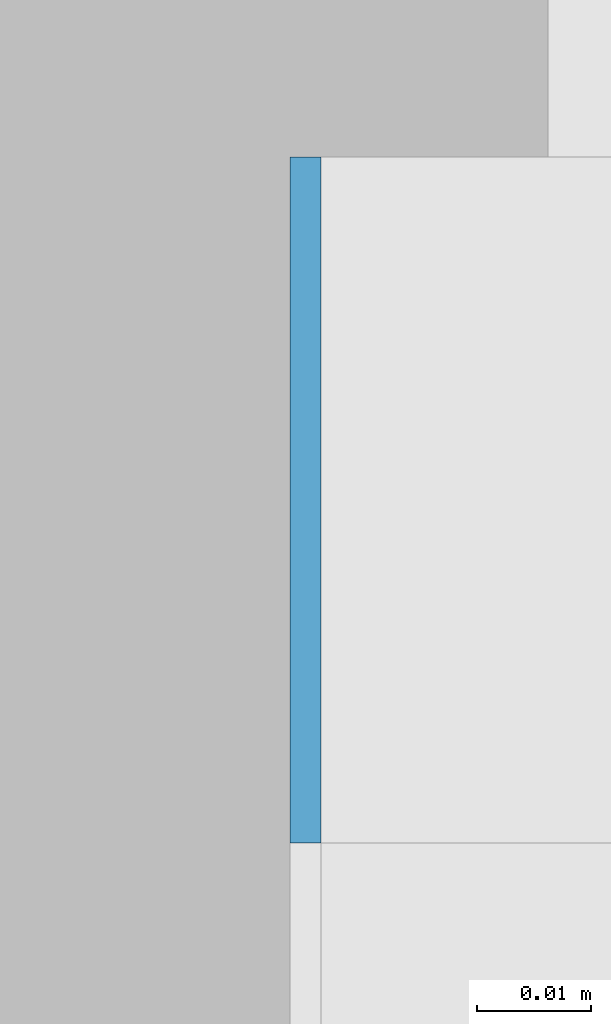
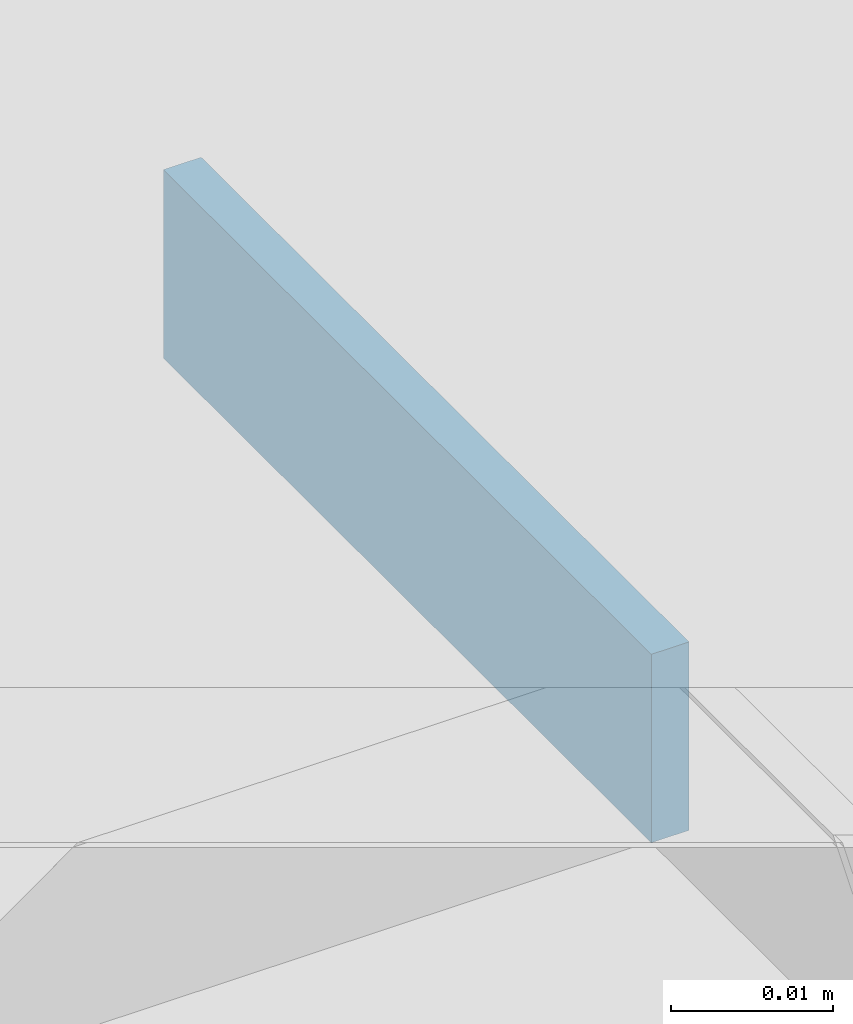
# One storey, part 525 of 646: 1 discrete accessory.
"""IFC4 building model written with IfcOpenShell, lengths in metres."""

from ifc_helpers import new_model, si_unit, direction, frame, origin, origin_2d, place, context, subcontext, project, spatial, rectangle, extrude, material, type_object, element, save


model = new_model("IFC4")

# Units and contexts
model_context = context("Model", 3, precision=1e-05, world=origin(), true_north=direction((0.0, 1.0)))
body_context = subcontext(model_context, "Body", "Model", "MODEL_VIEW")
ifc_project = project(units=[si_unit("LENGTHUNIT", "METRE"), si_unit("AREAUNIT", "SQUARE_METRE"), si_unit("VOLUMEUNIT", "CUBIC_METRE"), si_unit("PLANEANGLEUNIT", "RADIAN"), si_unit("MASSUNIT", "GRAM", prefix="KILO")], contexts=[model_context])

# Site, building, storey
site_placement = place(None, origin())
site = spatial("IfcSite", under=ifc_project, at=site_placement, CompositionType="ELEMENT")
building_placement = place(site_placement, origin())
building = spatial("IfcBuilding", under=site, at=building_placement, Name="Silverbay Arena", CompositionType="ELEMENT")
storey_placement = place(building_placement, frame((0.0, 0.0, 33.5)))
storey = spatial("IfcBuildingStorey", under=building, at=storey_placement, Name="L05", CompositionType="ELEMENT", Elevation=33.5)

# Discrete accessory
ifc_material = material(Name="Steel S355", Category="steel")
discrete_accessory_type = type_object("IfcDiscreteAccessoryType", Name="Steel bracket plate", PredefinedType="BRACKET", material=ifc_material)
discrete_accessory_placement = place(storey_placement, frame((207.128662109375, 81.030029296875, 12.98583984375), z_axis=(0.0, 0.0, 1.0), x_axis=(1.0, 0.0, 0.0)))
element("IfcDiscreteAccessory", 1, at=discrete_accessory_placement, inside=storey, type_object=discrete_accessory_type, Name="Curtain wall packing plate", PredefinedType="BRACKET", context=body_context, shape_type="SweptSolid", body=[
    extrude(rectangle(XDim=0.002685546875, YDim=0.06005859375, at=origin_2d()), origin(), (0.0, 0.0, 1.0), 0.01416015625),
])

save(model, "model.ifc")
